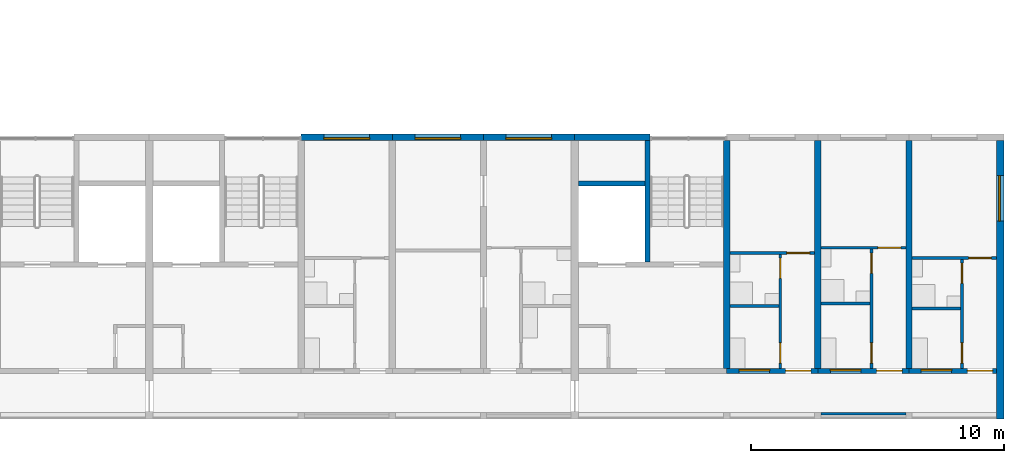
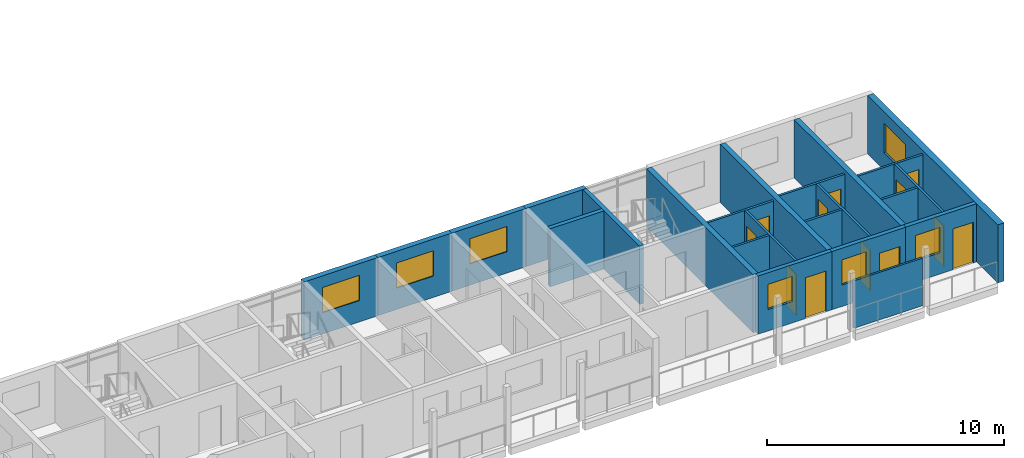
# One storey, part 55 of 98: 23 walls, 12 doors, 7 windows, 19 openings.
"""IFC4 building model written with IfcOpenShell, lengths in metres."""

from ifc_helpers import new_model, si_unit, direction, frame, frame_2d, origin, place, context, subcontext, project, spatial, rectangle, extrude, material, layer, layer_set, type_object, element, fill, save


model = new_model("IFC4")

# Units and contexts
model_context = context("Model", 3, precision=1e-05, world=origin(), true_north=direction((0.0, 1.0)))
body_context = subcontext(model_context, "Body", "Model", "MODEL_VIEW")
ifc_project = project(units=[si_unit("LENGTHUNIT", "METRE"), si_unit("AREAUNIT", "SQUARE_METRE"), si_unit("VOLUMEUNIT", "CUBIC_METRE"), si_unit("PLANEANGLEUNIT", "RADIAN"), si_unit("MASSUNIT", "GRAM", prefix="KILO")], contexts=[model_context])

# Site, building, storey
site_placement = place(None, origin())
site = spatial("IfcSite", under=ifc_project, at=site_placement, CompositionType="ELEMENT")
building_placement = place(site_placement, origin())
building = spatial("IfcBuilding", under=site, at=building_placement, Name="Ridgestep Commons", CompositionType="ELEMENT")
storey_placement = place(building_placement, frame((0.0, 0.0, 12.0)))
storey = spatial("IfcBuildingStorey", under=building, at=storey_placement, Name="L04", CompositionType="ELEMENT", Elevation=12.0)

# Walls
ifc_material_1 = material(Name="Concrete C30/37", Category="concrete")
ifc_layer_1 = layer(ifc_material_1, 0.25)
ifc_layer_set_1 = layer_set([ifc_layer_1], Name="Core cross wall 250")
wall_type_1 = type_object("IfcWallType", Name="Core cross wall 250", PredefinedType="SHEAR", material=ifc_layer_set_1)
wall_1_placement = place(storey_placement, frame((236.800048828125, 13.75, 0.0), z_axis=(0.0, 0.0, 1.0), x_axis=(0.0, 1.0, 0.0)))
element("IfcWall", 1, at=wall_1_placement, inside=storey, type_object=wall_type_1, Name="Cross wall D-04-2368", PredefinedType="SHEAR", context=body_context, shape_type="SweptSolid", body=[
    extrude(rectangle(XDim=9.0, YDim=0.25, at=frame_2d((4.5, 0.0))), origin(), (0.0, 0.0, 1.0), 3.0),
])
ifc_material_2 = material(Name="Concrete C30/37", Category="concrete")
ifc_layer_2 = layer(ifc_material_2, 0.199951171875)
ifc_layer_set_2 = layer_set([ifc_layer_2], Name="Core wall 200")
wall_type_2 = type_object("IfcWallType", Name="Core wall 200", PredefinedType="SHEAR", material=ifc_layer_set_2)
wall_2_placement = place(storey_placement, frame((233.675048828125, 17.949951171875, 0.0), z_axis=(0.0, 0.0, 1.0), x_axis=(0.0, 1.0, 0.0)))
element("IfcWall", 2, at=wall_2_placement, inside=storey, type_object=wall_type_2, Name="Core stair wall D6C L04", PredefinedType="SHEAR", context=body_context, shape_type="SweptSolid", body=[
    extrude(rectangle(XDim=4.800048828125, YDim=0.199951171875, at=frame_2d((2.39990234375, 0.0))), origin(), (0.0, 0.0, 1.0), 3.0),
])
wall_3_placement = place(storey_placement, frame((230.949951171875, 21.050048828125, 0.0), z_axis=(0.0, 0.0, 1.0), x_axis=(1.0, 0.0, 0.0)))
element("IfcWall", 3, at=wall_3_placement, inside=storey, type_object=wall_type_2, Name="Core duct wall D6C L04", PredefinedType="SHEAR", context=body_context, shape_type="SweptSolid", body=[
    extrude(rectangle(XDim=2.625, YDim=0.199951171875, at=frame_2d((1.3125, 0.0))), origin(), (0.0, 0.0, 1.0), 3.0),
])
ifc_material_3 = material(Name="Precast concrete C40/50", Category="concrete")
ifc_layer_3 = layer(ifc_material_3, 0.25)
ifc_layer_set_3 = layer_set([ifc_layer_3], Name="Cross wall 250")
wall_type_3 = type_object("IfcWallType", Name="Cross wall 250", PredefinedType="SHEAR", material=ifc_layer_set_3)
for number, where, z_axis, x_axis, name in (
    (4, (240.39990234375, 13.75, 0.0), (0.0, 0.0, 1.0), (0.0, 1.0, 0.0), "Cross wall D-04-2404"),
    (5, (244.0, 13.75, 0.0), (0.0, 0.0, 1.0), (0.0, 1.0, 0.0), "Cross wall D-04-2440"),
):
    element("IfcWall", number, at=place(storey_placement, frame(where, z_axis=z_axis, x_axis=x_axis)), inside=storey, type_object=wall_type_3, Name=name, PredefinedType="SHEAR", context=body_context, shape_type="SweptSolid", body=[
        extrude(rectangle(XDim=9.0, YDim=0.25, at=frame_2d((4.5, 0.0))), origin(), (0.0, 0.0, 1.0), 3.0),
    ])

# Wall, opening, window
ifc_material_4 = material(Name="Precast concrete C40/50", Category="concrete")
ifc_layer_4 = layer(ifc_material_4, 0.300048828125)
ifc_layer_set_4 = layer_set([ifc_layer_4], Name="Exposed division wall 300")
wall_type_4 = type_object("IfcWallType", Name="Exposed division wall 300", PredefinedType="SHEAR", material=ifc_layer_set_4)
wall_4_placement = place(storey_placement, frame((247.60009765625, 11.75, 0.0), z_axis=(0.0, 0.0, 1.0), x_axis=(0.0, 1.0, 0.0)))
wall_4 = element("IfcWall", 6, at=wall_4_placement, inside=storey, type_object=wall_type_4, Name="Cross wall D-04-2476", PredefinedType="SHEAR", context=body_context, shape_type="SweptSolid", body=[
    extrude(rectangle(XDim=11.0, YDim=0.300048828125, at=frame_2d((5.5, 0.0))), origin(), (0.0, 0.0, 1.0), 3.0),
])
opening_1_placement = place(wall_4_placement, frame((7.804931640625, 0.0, 0.89990234375)))
opening_1 = element("IfcOpeningElement", 7, at=opening_1_placement, cuts=wall_4, Name="Opening W20", PredefinedType="OPENING", context=body_context, shape_type="SweptSolid", body=[
    extrude(rectangle(XDim=1.800048828125, YDim=1.5, at=frame_2d((0.89990234375, 0.75))), frame((0.0, 0.159912109375, 0.0), z_axis=(0.0, -1.0, 0.0), x_axis=(1.0, 0.0, 0.0)), (0.0, 0.0, 1.0), 0.320068359375),
])
ifc_material_5 = material(Name="Aluminium 6063-T6 and glass", Category="aluminium")
window_type_1 = type_object("IfcWindowType", Name="Flat window 1800 x 1500", PartitioningType="DOUBLE_PANEL_VERTICAL", PredefinedType="WINDOW", material=ifc_material_5)
window_1_placement = place(opening_1_placement, origin())
window_1 = element("IfcWindow", 8, at=window_1_placement, inside=storey, type_object=window_type_1, Name="Window D6-04a 3", OverallHeight=1.5, OverallWidth=1.800048828125, PartitioningType="SINGLE_PANEL", PredefinedType="WINDOW", context=body_context, shape_type="SweptSolid", body=[
    extrude(rectangle(XDim=1.800048828125, YDim=1.5, at=frame_2d((0.89990234375, 0.75))), frame((0.0, 0.06005859375, 0.0), z_axis=(0.0, -1.0, 0.0), x_axis=(1.0, 0.0, 0.0)), (0.0, 0.0, 1.0), 0.06005859375),
])
fill(opening_1, window_1)

ifc_material_6 = material(Name="Precast concrete C40/50", Category="concrete")
ifc_layer_5 = layer(ifc_material_6, 0.25)
ifc_layer_set_5 = layer_set([ifc_layer_5], Name="North facade panel 250")
wall_type_5 = type_object("IfcWallType", Name="North facade panel 250", PredefinedType="SOLIDWALL", material=ifc_layer_set_5)
wall_5_placement = place(storey_placement, frame((220.0, 22.875, 0.0), z_axis=(0.0, 0.0, 1.0), x_axis=(1.0, 0.0, 0.0)))
wall_5 = element("IfcWall", 9, at=wall_5_placement, inside=storey, type_object=wall_type_5, Name="North panel D5T3 L04", PredefinedType="SOLIDWALL", context=body_context, shape_type="SweptSolid", body=[
    extrude(rectangle(XDim=3.60009765625, YDim=0.25, at=frame_2d((1.800048828125, 0.0))), origin(), (0.0, 0.0, 1.0), 3.0),
])
opening_2_placement = place(wall_5_placement, frame((0.89990234375, 0.0, 1.10009765625)))
opening_2 = element("IfcOpeningElement", 10, at=opening_2_placement, cuts=wall_5, Name="Opening W18", PredefinedType="OPENING", context=body_context, shape_type="SweptSolid", body=[
    extrude(rectangle(XDim=1.800048828125, YDim=1.300048828125, at=frame_2d((0.89990234375, 0.64990234375))), frame((0.0, 0.135009765625, 0.0), z_axis=(0.0, -1.0, 0.0), x_axis=(1.0, 0.0, 0.0)), (0.0, 0.0, 1.0), 0.27001953125),
])
ifc_material_7 = material(Name="Aluminium 6063-T6 and glass", Category="aluminium")
window_type_2 = type_object("IfcWindowType", Name="Flat window 1800 x 1300", PartitioningType="DOUBLE_PANEL_VERTICAL", PredefinedType="WINDOW", material=ifc_material_7)
window_2_placement = place(opening_2_placement, origin())
window_2 = element("IfcWindow", 11, at=window_2_placement, inside=storey, type_object=window_type_2, Name="Window D5-04b 2", OverallHeight=1.300048828125, OverallWidth=1.800048828125, PartitioningType="SINGLE_PANEL", PredefinedType="WINDOW", context=body_context, shape_type="SweptSolid", body=[
    extrude(rectangle(XDim=1.800048828125, YDim=1.300048828125, at=frame_2d((0.89990234375, 0.64990234375))), frame((0.0, -0.02490234375, 0.0), z_axis=(0.0, -1.0, 0.0), x_axis=(1.0, 0.0, 0.0)), (0.0, 0.0, 1.0), 0.06005859375),
])
fill(opening_2, window_2)

wall_6_placement = place(storey_placement, frame((223.60009765625, 22.875, 0.0), z_axis=(0.0, 0.0, 1.0), x_axis=(1.0, 0.0, 0.0)))
wall_6 = element("IfcWall", 12, at=wall_6_placement, inside=storey, type_object=wall_type_5, Name="North panel D5T2 L04", PredefinedType="SOLIDWALL", context=body_context, shape_type="SweptSolid", body=[
    extrude(rectangle(XDim=3.599853515625, YDim=0.25, at=frame_2d((1.7998046875, 0.0))), origin(), (0.0, 0.0, 1.0), 3.0),
])
opening_3_placement = place(wall_6_placement, frame((0.89990234375, 0.0, 1.10009765625)))
opening_3 = element("IfcOpeningElement", 13, at=opening_3_placement, cuts=wall_6, Name="Opening W18", PredefinedType="OPENING", context=body_context, shape_type="SweptSolid", body=[
    extrude(rectangle(XDim=1.800048828125, YDim=1.300048828125, at=frame_2d((0.89990234375, 0.64990234375))), frame((0.0, 0.135009765625, 0.0), z_axis=(0.0, -1.0, 0.0), x_axis=(1.0, 0.0, 0.0)), (0.0, 0.0, 1.0), 0.27001953125),
])
window_3_placement = place(opening_3_placement, origin())
window_3 = element("IfcWindow", 14, at=window_3_placement, inside=storey, type_object=window_type_2, Name="Window D5-04a 2", OverallHeight=1.300048828125, OverallWidth=1.800048828125, PartitioningType="SINGLE_PANEL", PredefinedType="WINDOW", context=body_context, shape_type="SweptSolid", body=[
    extrude(rectangle(XDim=1.800048828125, YDim=1.300048828125, at=frame_2d((0.89990234375, 0.64990234375))), frame((0.0, -0.02490234375, 0.0), z_axis=(0.0, -1.0, 0.0), x_axis=(1.0, 0.0, 0.0)), (0.0, 0.0, 1.0), 0.06005859375),
])
fill(opening_3, window_3)

wall_7_placement = place(storey_placement, frame((227.199951171875, 22.875, 0.0), z_axis=(0.0, 0.0, 1.0), x_axis=(1.0, 0.0, 0.0)))
wall_7 = element("IfcWall", 15, at=wall_7_placement, inside=storey, type_object=wall_type_5, Name="North panel D5T1 L04", PredefinedType="SOLIDWALL", context=body_context, shape_type="SweptSolid", body=[
    extrude(rectangle(XDim=3.60009765625, YDim=0.25, at=frame_2d((1.800048828125, 0.0))), origin(), (0.0, 0.0, 1.0), 3.0),
])
opening_4_placement = place(wall_7_placement, frame((0.887451171875, 0.0, 1.10009765625)))
opening_4 = element("IfcOpeningElement", 16, at=opening_4_placement, cuts=wall_7, Name="Opening W18", PredefinedType="OPENING", context=body_context, shape_type="SweptSolid", body=[
    extrude(rectangle(XDim=1.800048828125, YDim=1.300048828125, at=frame_2d((0.89990234375, 0.64990234375))), frame((0.0, 0.135009765625, 0.0), z_axis=(0.0, -1.0, 0.0), x_axis=(1.0, 0.0, 0.0)), (0.0, 0.0, 1.0), 0.27001953125),
])
window_4_placement = place(opening_4_placement, origin())
window_4 = element("IfcWindow", 17, at=window_4_placement, inside=storey, type_object=window_type_2, Name="Window D5-04a 4", OverallHeight=1.300048828125, OverallWidth=1.800048828125, PartitioningType="SINGLE_PANEL", PredefinedType="WINDOW", context=body_context, shape_type="SweptSolid", body=[
    extrude(rectangle(XDim=1.800048828125, YDim=1.300048828125, at=frame_2d((0.89990234375, 0.64990234375))), frame((0.0, -0.02490234375, 0.0), z_axis=(0.0, -1.0, 0.0), x_axis=(1.0, 0.0, 0.0)), (0.0, 0.0, 1.0), 0.06005859375),
])
fill(opening_4, window_4)

# Walls
wall_8_placement = place(storey_placement, frame((230.800048828125, 22.875, 0.0), z_axis=(0.0, 0.0, 1.0), x_axis=(1.0, 0.0, 0.0)))
element("IfcWall", 18, at=wall_8_placement, inside=storey, type_object=wall_type_5, Name="North panel D6C L04", PredefinedType="SOLIDWALL", context=body_context, shape_type="SweptSolid", body=[
    extrude(rectangle(XDim=2.974853515625, YDim=0.25, at=frame_2d((1.4873046875, 0.0))), origin(), (0.0, 0.0, 1.0), 3.0),
])
ifc_material_8 = material(Name="Common brick 110 mm", Category="masonry")
ifc_layer_6 = layer(ifc_material_8, 0.110107421875)
ifc_layer_set_6 = layer_set([ifc_layer_6], Name="Partition 110")
wall_type_6 = type_object("IfcWallType", Name="Partition 110", PredefinedType="PARTITIONING", material=ifc_layer_set_6)
wall_9_placement = place(storey_placement, frame((244.125, 16.10498046875, 0.0), z_axis=(0.0, 0.0, 1.0), x_axis=(1.0, 0.0, 0.0)))
element("IfcWall", 19, at=wall_9_placement, inside=storey, type_object=wall_type_6, Name="Partition D6-04a", PredefinedType="PARTITIONING", context=body_context, shape_type="SweptSolid", body=[
    extrude(rectangle(XDim=1.9150390625, YDim=0.110107421875, at=frame_2d((0.95751953125, 0.0))), origin(), (0.0, 0.0, 1.0), 2.800048828125),
])

# Wall, openings, doors
wall_10_placement = place(storey_placement, frame((246.094970703125, 13.75, 0.0), z_axis=(0.0, 0.0, 1.0), x_axis=(0.0, 1.0, 0.0)))
wall_10 = element("IfcWall", 20, at=wall_10_placement, inside=storey, type_object=wall_type_6, Name="Partition D6-04a", PredefinedType="PARTITIONING", context=body_context, shape_type="SweptSolid", body=[
    extrude(rectangle(XDim=4.300048828125, YDim=0.110107421875, at=frame_2d((2.14990234375, 0.0))), origin(), (0.0, 0.0, 1.0), 2.800048828125),
])
opening_5_placement = place(wall_10_placement, frame((0.199951171875, 0.0, 0.0)))
opening_5 = element("IfcOpeningElement", 21, at=opening_5_placement, cuts=wall_10, Name="Opening D6-04a/2", PredefinedType="OPENING", context=body_context, shape_type="SweptSolid", body=[
    extrude(rectangle(XDim=0.800048828125, YDim=2.10009765625, at=frame_2d((0.39990234375, 1.050048828125))), frame((0.0, 0.06494140625, 0.0), z_axis=(0.0, -1.0, 0.0), x_axis=(1.0, 0.0, 0.0)), (0.0, 0.0, 1.0), 0.130126953125),
])
opening_6_placement = place(wall_10_placement, frame((3.35009765625, 0.0, 0.0)))
opening_6 = element("IfcOpeningElement", 22, at=opening_6_placement, cuts=wall_10, Name="Opening D6-04a/3", PredefinedType="OPENING", context=body_context, shape_type="SweptSolid", body=[
    extrude(rectangle(XDim=0.800048828125, YDim=2.10009765625, at=frame_2d((0.39990234375, 1.050048828125))), frame((0.0, 0.06494140625, 0.0), z_axis=(0.0, -1.0, 0.0), x_axis=(1.0, 0.0, 0.0)), (0.0, 0.0, 1.0), 0.130126953125),
])
ifc_material_9 = material(Name="Timber door leaf", Category="wood")
door_type_1 = type_object("IfcDoorType", Name="Internal door 800 x 2100", OperationType="NOTDEFINED", PredefinedType="DOOR", material=ifc_material_9)
door_1_placement = place(opening_5_placement, origin())
door_1 = element("IfcDoor", 23, at=door_1_placement, inside=storey, type_object=door_type_1, Name="Internal door D6-04a/2", OperationType="SINGLE_SWING_LEFT", OverallHeight=2.10009765625, OverallWidth=0.800048828125, PredefinedType="DOOR", context=body_context, shape_type="SweptSolid", body=[
    extrude(rectangle(XDim=0.800048828125, YDim=2.10009765625, at=frame_2d((0.39990234375, 1.050048828125))), frame((0.0, 0.02490234375, 0.0), z_axis=(0.0, -1.0, 0.0), x_axis=(1.0, 0.0, 0.0)), (0.0, 0.0, 1.0), 0.050048828125),
])
fill(opening_5, door_1)
door_2_placement = place(opening_6_placement, origin())
door_2 = element("IfcDoor", 24, at=door_2_placement, inside=storey, type_object=door_type_1, Name="Internal door D6-04a/3", OperationType="SINGLE_SWING_RIGHT", OverallHeight=2.10009765625, OverallWidth=0.800048828125, PredefinedType="DOOR", context=body_context, shape_type="SweptSolid", body=[
    extrude(rectangle(XDim=0.800048828125, YDim=2.10009765625, at=frame_2d((0.39990234375, 1.050048828125))), frame((0.0, 0.02490234375, 0.0), z_axis=(0.0, -1.0, 0.0), x_axis=(1.0, 0.0, 0.0)), (0.0, 0.0, 1.0), 0.050048828125),
])
fill(opening_6, door_2)

# Wall, opening, door
wall_11_placement = place(storey_placement, frame((244.125, 18.10498046875, 0.0), z_axis=(0.0, 0.0, 1.0), x_axis=(1.0, 0.0, 0.0)))
wall_11 = element("IfcWall", 25, at=wall_11_placement, inside=storey, type_object=wall_type_6, Name="Partition D6-04a", PredefinedType="PARTITIONING", context=body_context, shape_type="SweptSolid", body=[
    extrude(rectangle(XDim=3.324951171875, YDim=0.110107421875, at=frame_2d((1.66259765625, 0.0))), origin(), (0.0, 0.0, 1.0), 2.800048828125),
])
opening_7_placement = place(wall_11_placement, frame((2.22509765625, 0.0, 0.0)))
opening_7 = element("IfcOpeningElement", 26, at=opening_7_placement, cuts=wall_11, Name="Opening D6-04a/4", PredefinedType="OPENING", context=body_context, shape_type="SweptSolid", body=[
    extrude(rectangle(XDim=0.89990234375, YDim=2.10009765625, at=frame_2d((0.449951171875, 1.050048828125))), frame((0.0, 0.06494140625, 0.0), z_axis=(0.0, -1.0, 0.0), x_axis=(1.0, 0.0, 0.0)), (0.0, 0.0, 1.0), 0.130126953125),
])
ifc_material_10 = material(Name="Timber door leaf", Category="wood")
door_type_2 = type_object("IfcDoorType", Name="Internal door 900 x 2100", OperationType="NOTDEFINED", PredefinedType="DOOR", material=ifc_material_10)
door_3_placement = place(opening_7_placement, origin())
door_3 = element("IfcDoor", 27, at=door_3_placement, inside=storey, type_object=door_type_2, Name="Internal door D6-04a/4", OperationType="SINGLE_SWING_LEFT", OverallHeight=2.10009765625, OverallWidth=0.89990234375, PredefinedType="DOOR", context=body_context, shape_type="SweptSolid", body=[
    extrude(rectangle(XDim=0.89990234375, YDim=2.10009765625, at=frame_2d((0.449951171875, 1.050048828125))), frame((0.0, 0.02490234375, 0.0), z_axis=(0.0, -1.0, 0.0), x_axis=(1.0, 0.0, 0.0)), (0.0, 0.0, 1.0), 0.050048828125),
])
fill(opening_7, door_3)

# Wall
wall_12_placement = place(storey_placement, frame((240.52490234375, 16.304931640625, 0.0), z_axis=(0.0, 0.0, 1.0), x_axis=(1.0, 0.0, 0.0)))
element("IfcWall", 28, at=wall_12_placement, inside=storey, type_object=wall_type_6, Name="Partition D6-04b", PredefinedType="PARTITIONING", context=body_context, shape_type="SweptSolid", body=[
    extrude(rectangle(XDim=1.940185546875, YDim=0.110107421875, at=frame_2d((0.97021484375, 0.0))), origin(), (0.0, 0.0, 1.0), 2.800048828125),
])

# Wall, openings, doors
wall_13_placement = place(storey_placement, frame((242.52001953125, 13.75, 0.0), z_axis=(0.0, 0.0, 1.0), x_axis=(0.0, 1.0, 0.0)))
wall_13 = element("IfcWall", 29, at=wall_13_placement, inside=storey, type_object=wall_type_6, Name="Partition D6-04b", PredefinedType="PARTITIONING", context=body_context, shape_type="SweptSolid", body=[
    extrude(rectangle(XDim=4.699951171875, YDim=0.110107421875, at=frame_2d((2.35009765625, 0.0))), origin(), (0.0, 0.0, 1.0), 2.800048828125),
])
opening_8_placement = place(wall_13_placement, frame((0.199951171875, 0.0, 0.0)))
opening_8 = element("IfcOpeningElement", 30, at=opening_8_placement, cuts=wall_13, Name="Opening D6-04b/2", PredefinedType="OPENING", context=body_context, shape_type="SweptSolid", body=[
    extrude(rectangle(XDim=0.800048828125, YDim=2.10009765625, at=frame_2d((0.39990234375, 1.050048828125))), frame((0.0, 0.06494140625, 0.0), z_axis=(0.0, -1.0, 0.0), x_axis=(1.0, 0.0, 0.0)), (0.0, 0.0, 1.0), 0.130126953125),
])
opening_9_placement = place(wall_13_placement, frame((3.75, 0.0, 0.0)))
opening_9 = element("IfcOpeningElement", 31, at=opening_9_placement, cuts=wall_13, Name="Opening D6-04b/3", PredefinedType="OPENING", context=body_context, shape_type="SweptSolid", body=[
    extrude(rectangle(XDim=0.800048828125, YDim=2.10009765625, at=frame_2d((0.39990234375, 1.050048828125))), frame((0.0, 0.06494140625, 0.0), z_axis=(0.0, -1.0, 0.0), x_axis=(1.0, 0.0, 0.0)), (0.0, 0.0, 1.0), 0.130126953125),
])
door_4_placement = place(opening_8_placement, origin())
door_4 = element("IfcDoor", 32, at=door_4_placement, inside=storey, type_object=door_type_1, Name="Internal door D6-04b/2", OperationType="SINGLE_SWING_LEFT", OverallHeight=2.10009765625, OverallWidth=0.800048828125, PredefinedType="DOOR", context=body_context, shape_type="SweptSolid", body=[
    extrude(rectangle(XDim=0.800048828125, YDim=2.10009765625, at=frame_2d((0.39990234375, 1.050048828125))), frame((0.0, 0.02490234375, 0.0), z_axis=(0.0, -1.0, 0.0), x_axis=(1.0, 0.0, 0.0)), (0.0, 0.0, 1.0), 0.050048828125),
])
fill(opening_8, door_4)
door_5_placement = place(opening_9_placement, origin())
door_5 = element("IfcDoor", 33, at=door_5_placement, inside=storey, type_object=door_type_1, Name="Internal door D6-04b/3", OperationType="SINGLE_SWING_RIGHT", OverallHeight=2.10009765625, OverallWidth=0.800048828125, PredefinedType="DOOR", context=body_context, shape_type="SweptSolid", body=[
    extrude(rectangle(XDim=0.800048828125, YDim=2.10009765625, at=frame_2d((0.39990234375, 1.050048828125))), frame((0.0, 0.02490234375, 0.0), z_axis=(0.0, -1.0, 0.0), x_axis=(1.0, 0.0, 0.0)), (0.0, 0.0, 1.0), 0.050048828125),
])
fill(opening_9, door_5)

# Wall, opening, door
wall_14_placement = place(storey_placement, frame((240.52490234375, 18.5048828125, 0.0), z_axis=(0.0, 0.0, 1.0), x_axis=(1.0, 0.0, 0.0)))
wall_14 = element("IfcWall", 34, at=wall_14_placement, inside=storey, type_object=wall_type_6, Name="Partition D6-04b", PredefinedType="PARTITIONING", context=body_context, shape_type="SweptSolid", body=[
    extrude(rectangle(XDim=3.35009765625, YDim=0.110107421875, at=frame_2d((1.675048828125, 0.0))), origin(), (0.0, 0.0, 1.0), 2.800048828125),
])
opening_10_placement = place(wall_14_placement, frame((2.25, 0.0, 0.0)))
opening_10 = element("IfcOpeningElement", 35, at=opening_10_placement, cuts=wall_14, Name="Opening D6-04b/4", PredefinedType="OPENING", context=body_context, shape_type="SweptSolid", body=[
    extrude(rectangle(XDim=0.89990234375, YDim=2.10009765625, at=frame_2d((0.449951171875, 1.050048828125))), frame((0.0, 0.06494140625, 0.0), z_axis=(0.0, -1.0, 0.0), x_axis=(1.0, 0.0, 0.0)), (0.0, 0.0, 1.0), 0.130126953125),
])
door_6_placement = place(opening_10_placement, origin())
door_6 = element("IfcDoor", 36, at=door_6_placement, inside=storey, type_object=door_type_2, Name="Internal door D6-04b/4", OperationType="SINGLE_SWING_LEFT", OverallHeight=2.10009765625, OverallWidth=0.89990234375, PredefinedType="DOOR", context=body_context, shape_type="SweptSolid", body=[
    extrude(rectangle(XDim=0.89990234375, YDim=2.10009765625, at=frame_2d((0.449951171875, 1.050048828125))), frame((0.0, 0.02490234375, 0.0), z_axis=(0.0, -1.0, 0.0), x_axis=(1.0, 0.0, 0.0)), (0.0, 0.0, 1.0), 0.050048828125),
])
fill(opening_10, door_6)

# Wall
wall_15_placement = place(storey_placement, frame((236.925048828125, 16.205078125, 0.0), z_axis=(0.0, 0.0, 1.0), x_axis=(1.0, 0.0, 0.0)))
element("IfcWall", 37, at=wall_15_placement, inside=storey, type_object=wall_type_6, Name="Partition D6-04c", PredefinedType="PARTITIONING", context=body_context, shape_type="SweptSolid", body=[
    extrude(rectangle(XDim=1.93994140625, YDim=0.110107421875, at=frame_2d((0.969970703125, 0.0))), origin(), (0.0, 0.0, 1.0), 2.800048828125),
])

# Wall, openings, doors
wall_16_placement = place(storey_placement, frame((238.919921875, 13.75, 0.0), z_axis=(0.0, 0.0, 1.0), x_axis=(0.0, 1.0, 0.0)))
wall_16 = element("IfcWall", 38, at=wall_16_placement, inside=storey, type_object=wall_type_6, Name="Partition D6-04c", PredefinedType="PARTITIONING", context=body_context, shape_type="SweptSolid", body=[
    extrude(rectangle(XDim=4.5, YDim=0.110107421875, at=frame_2d((2.25, 0.0))), origin(), (0.0, 0.0, 1.0), 2.800048828125),
])
opening_11_placement = place(wall_16_placement, frame((0.199951171875, 0.0, 0.0)))
opening_11 = element("IfcOpeningElement", 39, at=opening_11_placement, cuts=wall_16, Name="Opening D6-04c/2", PredefinedType="OPENING", context=body_context, shape_type="SweptSolid", body=[
    extrude(rectangle(XDim=0.800048828125, YDim=2.10009765625, at=frame_2d((0.39990234375, 1.050048828125))), frame((0.0, 0.06494140625, 0.0), z_axis=(0.0, -1.0, 0.0), x_axis=(1.0, 0.0, 0.0)), (0.0, 0.0, 1.0), 0.130126953125),
])
opening_12_placement = place(wall_16_placement, frame((3.550048828125, 0.0, 0.0)))
opening_12 = element("IfcOpeningElement", 40, at=opening_12_placement, cuts=wall_16, Name="Opening D6-04c/3", PredefinedType="OPENING", context=body_context, shape_type="SweptSolid", body=[
    extrude(rectangle(XDim=0.800048828125, YDim=2.10009765625, at=frame_2d((0.39990234375, 1.050048828125))), frame((0.0, 0.06494140625, 0.0), z_axis=(0.0, -1.0, 0.0), x_axis=(1.0, 0.0, 0.0)), (0.0, 0.0, 1.0), 0.130126953125),
])
door_7_placement = place(opening_11_placement, origin())
door_7 = element("IfcDoor", 41, at=door_7_placement, inside=storey, type_object=door_type_1, Name="Internal door D6-04c/2", OperationType="SINGLE_SWING_LEFT", OverallHeight=2.10009765625, OverallWidth=0.800048828125, PredefinedType="DOOR", context=body_context, shape_type="SweptSolid", body=[
    extrude(rectangle(XDim=0.800048828125, YDim=2.10009765625, at=frame_2d((0.39990234375, 1.050048828125))), frame((0.0, 0.02490234375, 0.0), z_axis=(0.0, -1.0, 0.0), x_axis=(1.0, 0.0, 0.0)), (0.0, 0.0, 1.0), 0.050048828125),
])
fill(opening_11, door_7)
door_8_placement = place(opening_12_placement, origin())
door_8 = element("IfcDoor", 42, at=door_8_placement, inside=storey, type_object=door_type_1, Name="Internal door D6-04c/3", OperationType="SINGLE_SWING_RIGHT", OverallHeight=2.10009765625, OverallWidth=0.800048828125, PredefinedType="DOOR", context=body_context, shape_type="SweptSolid", body=[
    extrude(rectangle(XDim=0.800048828125, YDim=2.10009765625, at=frame_2d((0.39990234375, 1.050048828125))), frame((0.0, 0.02490234375, 0.0), z_axis=(0.0, -1.0, 0.0), x_axis=(1.0, 0.0, 0.0)), (0.0, 0.0, 1.0), 0.050048828125),
])
fill(opening_12, door_8)

# Wall, opening, door
wall_17_placement = place(storey_placement, frame((236.925048828125, 18.304931640625, 0.0), z_axis=(0.0, 0.0, 1.0), x_axis=(1.0, 0.0, 0.0)))
wall_17 = element("IfcWall", 43, at=wall_17_placement, inside=storey, type_object=wall_type_6, Name="Partition D6-04c", PredefinedType="PARTITIONING", context=body_context, shape_type="SweptSolid", body=[
    extrude(rectangle(XDim=3.349853515625, YDim=0.110107421875, at=frame_2d((1.6748046875, 0.0))), origin(), (0.0, 0.0, 1.0), 2.800048828125),
])
opening_13_placement = place(wall_17_placement, frame((2.25, 0.0, 0.0)))
opening_13 = element("IfcOpeningElement", 44, at=opening_13_placement, cuts=wall_17, Name="Opening D6-04c/4", PredefinedType="OPENING", context=body_context, shape_type="SweptSolid", body=[
    extrude(rectangle(XDim=0.89990234375, YDim=2.10009765625, at=frame_2d((0.449951171875, 1.050048828125))), frame((0.0, 0.06494140625, 0.0), z_axis=(0.0, -1.0, 0.0), x_axis=(1.0, 0.0, 0.0)), (0.0, 0.0, 1.0), 0.130126953125),
])
door_9_placement = place(opening_13_placement, origin())
door_9 = element("IfcDoor", 45, at=door_9_placement, inside=storey, type_object=door_type_2, Name="Internal door D6-04c/4", OperationType="SINGLE_SWING_LEFT", OverallHeight=2.10009765625, OverallWidth=0.89990234375, PredefinedType="DOOR", context=body_context, shape_type="SweptSolid", body=[
    extrude(rectangle(XDim=0.89990234375, YDim=2.10009765625, at=frame_2d((0.449951171875, 1.050048828125))), frame((0.0, 0.02490234375, 0.0), z_axis=(0.0, -1.0, 0.0), x_axis=(1.0, 0.0, 0.0)), (0.0, 0.0, 1.0), 0.050048828125),
])
fill(opening_13, door_9)

# Wall
ifc_material_11 = material(Name="Precast concrete C30/37", Category="concrete")
ifc_layer_7 = layer(ifc_material_11, 0.10009765625)
ifc_layer_set_7 = layer_set([ifc_layer_7], Name="Perforated gallery screen 3350 x 2450 x 100")
wall_type_7 = type_object("IfcWallType", Name="Perforated gallery screen 3350 x 2450 x 100", PredefinedType="SOLIDWALL", material=ifc_layer_set_7)
wall_18_placement = place(storey_placement, frame((240.52490234375, 11.949951171875, 0.0), z_axis=(0.0, 0.0, 1.0), x_axis=(1.0, 0.0, 0.0)))
element("IfcWall", 46, at=wall_18_placement, inside=storey, type_object=wall_type_7, Name="Gallery screen D6T2 04", PredefinedType="SOLIDWALL", context=body_context, shape_type="SweptSolid", body=[
    extrude(rectangle(XDim=3.35009765625, YDim=0.10009765625, at=frame_2d((1.675048828125, 0.0))), origin(), (0.0, 0.0, 1.0), 2.449951171875),
])

# Wall, openings, door, window
ifc_material_12 = material(Name="Precast concrete C40/50", Category="concrete")
ifc_layer_8 = layer(ifc_material_12, 0.199951171875)
ifc_layer_set_8 = layer_set([ifc_layer_8], Name="South facade panel 200")
wall_type_8 = type_object("IfcWallType", Name="South facade panel 200", PredefinedType="SOLIDWALL", material=ifc_layer_set_8)
wall_19_placement = place(storey_placement, frame((236.800048828125, 13.64990234375, 0.0), z_axis=(0.0, 0.0, 1.0), x_axis=(1.0, 0.0, 0.0)))
wall_19 = element("IfcWall", 47, at=wall_19_placement, inside=storey, type_object=wall_type_8, Name="South panel D6T3 L04", PredefinedType="SOLIDWALL", context=body_context, shape_type="SweptSolid", body=[
    extrude(rectangle(XDim=3.599853515625, YDim=0.199951171875, at=frame_2d((1.7998046875, 0.0))), origin(), (0.0, 0.0, 1.0), 3.0),
])
opening_14_placement = place(wall_19_placement, frame((0.4951171875, 0.0, 1.10009765625)))
opening_14 = element("IfcOpeningElement", 48, at=opening_14_placement, cuts=wall_19, Name="Opening W08", PredefinedType="OPENING", context=body_context, shape_type="SweptSolid", body=[
    extrude(rectangle(XDim=1.199951171875, YDim=1.300048828125, at=frame_2d((0.60009765625, 0.64990234375))), frame((0.0, 0.10986328125, 0.0), z_axis=(0.0, -1.0, 0.0), x_axis=(1.0, 0.0, 0.0)), (0.0, 0.0, 1.0), 0.219970703125),
])
opening_15_placement = place(wall_19_placement, frame((2.324951171875, 0.0, 0.0)))
opening_15 = element("IfcOpeningElement", 49, at=opening_15_placement, cuts=wall_19, Name="Opening D6-04c/1", PredefinedType="OPENING", context=body_context, shape_type="SweptSolid", body=[
    extrude(rectangle(XDim=1.0, YDim=2.10009765625, at=frame_2d((0.5, 1.050048828125))), frame((0.0, 0.10986328125, 0.0), z_axis=(0.0, -1.0, 0.0), x_axis=(1.0, 0.0, 0.0)), (0.0, 0.0, 1.0), 0.219970703125),
])
ifc_material_13 = material(Name="Timber door leaf", Category="wood")
door_type_3 = type_object("IfcDoorType", Name="Flat entrance door 1000 x 2100 FD30S", OperationType="NOTDEFINED", PredefinedType="DOOR", material=ifc_material_13)
door_10_placement = place(opening_15_placement, origin())
door_10 = element("IfcDoor", 50, at=door_10_placement, inside=storey, type_object=door_type_3, Name="Flat entrance door D6-04c/1", OperationType="SINGLE_SWING_RIGHT", OverallHeight=2.10009765625, OverallWidth=1.0, PredefinedType="DOOR", context=body_context, shape_type="SweptSolid", body=[
    extrude(rectangle(XDim=1.0, YDim=2.10009765625, at=frame_2d((0.5, 1.050048828125))), frame((0.0, 0.02490234375, 0.0), z_axis=(0.0, -1.0, 0.0), x_axis=(1.0, 0.0, 0.0)), (0.0, 0.0, 1.0), 0.050048828125),
])
fill(opening_15, door_10)
ifc_material_14 = material(Name="Aluminium 6063-T6 and glass", Category="aluminium")
window_type_3 = type_object("IfcWindowType", Name="Flat window 1200 x 1300", PartitioningType="SINGLE_PANEL", PredefinedType="WINDOW", material=ifc_material_14)
window_5_placement = place(opening_14_placement, origin())
window_5 = element("IfcWindow", 51, at=window_5_placement, inside=storey, type_object=window_type_3, Name="Window D6-04c 1", OverallHeight=1.300048828125, OverallWidth=1.199951171875, PartitioningType="SINGLE_PANEL", PredefinedType="WINDOW", context=body_context, shape_type="SweptSolid", body=[
    extrude(rectangle(XDim=1.199951171875, YDim=1.300048828125, at=frame_2d((0.60009765625, 0.64990234375))), frame((0.0, 0.06005859375, 0.0), z_axis=(0.0, -1.0, 0.0), x_axis=(1.0, 0.0, 0.0)), (0.0, 0.0, 1.0), 0.06005859375),
])
fill(opening_14, window_5)

wall_20_placement = place(storey_placement, frame((240.39990234375, 13.64990234375, 0.0), z_axis=(0.0, 0.0, 1.0), x_axis=(1.0, 0.0, 0.0)))
wall_20 = element("IfcWall", 52, at=wall_20_placement, inside=storey, type_object=wall_type_8, Name="South panel D6T2 L04", PredefinedType="SOLIDWALL", context=body_context, shape_type="SweptSolid", body=[
    extrude(rectangle(XDim=3.60009765625, YDim=0.199951171875, at=frame_2d((1.800048828125, 0.0))), origin(), (0.0, 0.0, 1.0), 3.0),
])
opening_16_placement = place(wall_20_placement, frame((0.4951171875, 0.0, 1.10009765625)))
opening_16 = element("IfcOpeningElement", 53, at=opening_16_placement, cuts=wall_20, Name="Opening W08", PredefinedType="OPENING", context=body_context, shape_type="SweptSolid", body=[
    extrude(rectangle(XDim=1.199951171875, YDim=1.300048828125, at=frame_2d((0.60009765625, 0.64990234375))), frame((0.0, 0.10986328125, 0.0), z_axis=(0.0, -1.0, 0.0), x_axis=(1.0, 0.0, 0.0)), (0.0, 0.0, 1.0), 0.219970703125),
])
opening_17_placement = place(wall_20_placement, frame((2.324951171875, 0.0, 0.0)))
opening_17 = element("IfcOpeningElement", 54, at=opening_17_placement, cuts=wall_20, Name="Opening D6-04b/1", PredefinedType="OPENING", context=body_context, shape_type="SweptSolid", body=[
    extrude(rectangle(XDim=1.0, YDim=2.10009765625, at=frame_2d((0.5, 1.050048828125))), frame((0.0, 0.10986328125, 0.0), z_axis=(0.0, -1.0, 0.0), x_axis=(1.0, 0.0, 0.0)), (0.0, 0.0, 1.0), 0.219970703125),
])
door_11_placement = place(opening_17_placement, origin())
door_11 = element("IfcDoor", 55, at=door_11_placement, inside=storey, type_object=door_type_3, Name="Flat entrance door D6-04b/1", OperationType="SINGLE_SWING_RIGHT", OverallHeight=2.10009765625, OverallWidth=1.0, PredefinedType="DOOR", context=body_context, shape_type="SweptSolid", body=[
    extrude(rectangle(XDim=1.0, YDim=2.10009765625, at=frame_2d((0.5, 1.050048828125))), frame((0.0, 0.02490234375, 0.0), z_axis=(0.0, -1.0, 0.0), x_axis=(1.0, 0.0, 0.0)), (0.0, 0.0, 1.0), 0.050048828125),
])
fill(opening_17, door_11)
window_6_placement = place(opening_16_placement, origin())
window_6 = element("IfcWindow", 56, at=window_6_placement, inside=storey, type_object=window_type_3, Name="Window D6-04b 1", OverallHeight=1.300048828125, OverallWidth=1.199951171875, PartitioningType="SINGLE_PANEL", PredefinedType="WINDOW", context=body_context, shape_type="SweptSolid", body=[
    extrude(rectangle(XDim=1.199951171875, YDim=1.300048828125, at=frame_2d((0.60009765625, 0.64990234375))), frame((0.0, 0.06005859375, 0.0), z_axis=(0.0, -1.0, 0.0), x_axis=(1.0, 0.0, 0.0)), (0.0, 0.0, 1.0), 0.06005859375),
])
fill(opening_16, window_6)

wall_21_placement = place(storey_placement, frame((244.0, 13.64990234375, 0.0), z_axis=(0.0, 0.0, 1.0), x_axis=(1.0, 0.0, 0.0)))
wall_21 = element("IfcWall", 57, at=wall_21_placement, inside=storey, type_object=wall_type_8, Name="South panel D6T1 L04", PredefinedType="SOLIDWALL", context=body_context, shape_type="SweptSolid", body=[
    extrude(rectangle(XDim=3.449951171875, YDim=0.199951171875, at=frame_2d((1.72509765625, 0.0))), origin(), (0.0, 0.0, 1.0), 3.0),
])
opening_18_placement = place(wall_21_placement, frame((0.482421875, 0.0, 1.10009765625)))
opening_18 = element("IfcOpeningElement", 58, at=opening_18_placement, cuts=wall_21, Name="Opening W08", PredefinedType="OPENING", context=body_context, shape_type="SweptSolid", body=[
    extrude(rectangle(XDim=1.199951171875, YDim=1.300048828125, at=frame_2d((0.60009765625, 0.64990234375))), frame((0.0, 0.10986328125, 0.0), z_axis=(0.0, -1.0, 0.0), x_axis=(1.0, 0.0, 0.0)), (0.0, 0.0, 1.0), 0.219970703125),
])
opening_19_placement = place(wall_21_placement, frame((2.300048828125, 0.0, 0.0)))
opening_19 = element("IfcOpeningElement", 59, at=opening_19_placement, cuts=wall_21, Name="Opening D6-04a/1", PredefinedType="OPENING", context=body_context, shape_type="SweptSolid", body=[
    extrude(rectangle(XDim=1.0, YDim=2.10009765625, at=frame_2d((0.5, 1.050048828125))), frame((0.0, 0.10986328125, 0.0), z_axis=(0.0, -1.0, 0.0), x_axis=(1.0, 0.0, 0.0)), (0.0, 0.0, 1.0), 0.219970703125),
])
door_12_placement = place(opening_19_placement, origin())
door_12 = element("IfcDoor", 60, at=door_12_placement, inside=storey, type_object=door_type_3, Name="Flat entrance door D6-04a/1", OperationType="SINGLE_SWING_RIGHT", OverallHeight=2.10009765625, OverallWidth=1.0, PredefinedType="DOOR", context=body_context, shape_type="SweptSolid", body=[
    extrude(rectangle(XDim=1.0, YDim=2.10009765625, at=frame_2d((0.5, 1.050048828125))), frame((0.0, 0.02490234375, 0.0), z_axis=(0.0, -1.0, 0.0), x_axis=(1.0, 0.0, 0.0)), (0.0, 0.0, 1.0), 0.050048828125),
])
fill(opening_19, door_12)
window_7_placement = place(opening_18_placement, origin())
window_7 = element("IfcWindow", 61, at=window_7_placement, inside=storey, type_object=window_type_3, Name="Window D6-04a 1", OverallHeight=1.300048828125, OverallWidth=1.199951171875, PartitioningType="SINGLE_PANEL", PredefinedType="WINDOW", context=body_context, shape_type="SweptSolid", body=[
    extrude(rectangle(XDim=1.199951171875, YDim=1.300048828125, at=frame_2d((0.60009765625, 0.64990234375))), frame((0.0, 0.06005859375, 0.0), z_axis=(0.0, -1.0, 0.0), x_axis=(1.0, 0.0, 0.0)), (0.0, 0.0, 1.0), 0.06005859375),
])
fill(opening_18, window_7)

save(model, "model.ifc")
